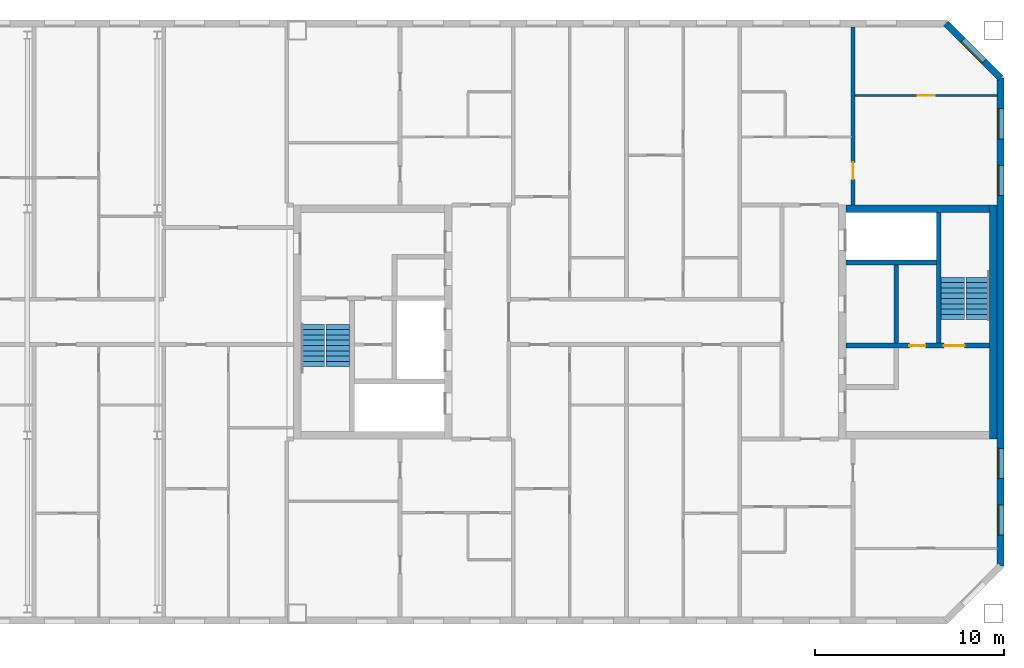
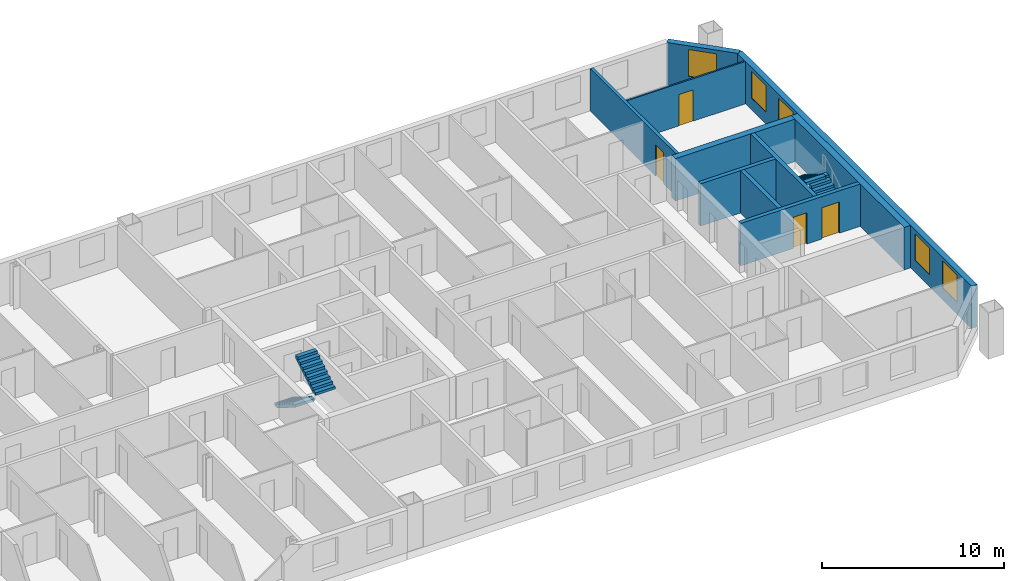
# One storey, part 17 of 19: 10 walls, 5 windows, 4 doors, 4 stair flights, 9 openings, 2 elements without a shape of their own.
"""IFC4 building model written with IfcOpenShell, lengths in metres."""

import ifcopenshell
import ifcopenshell.guid

model = None  # the IFC model being written
_history = None  # IfcOwnerHistory: only IFC2X3 demands one
_inside = {}  # id of a spatial element -> (the spatial element, [elements in it])
_under = {}  # id of a project, library or spatial element -> (it, [spatial elements below it])
_declared = {}  # id of a project -> (the project, [libraries it declares])
_typed = {}  # id of a type object -> (the type object, [elements of that type])
_made_of = {}  # id of a material, layer set ... -> (it, [elements and type objects made of it])


def new_model(schema):
    """Start an empty IFC model of exactly this schema.

    Asked for "IFC4X3", IfcOpenShell would pick the latest addendum, in which some entities
    have other attributes; the version numbers below select the first issue.
    IFC2X3 requires an IfcOwnerHistory on every rooted entity: one is made here for all.
    """
    global model, _history
    if schema == "IFC4X3":
        model = ifcopenshell.file(schema_version=(4, 3, 0, 0))
    else:
        model = ifcopenshell.file(schema=schema)
    _inside.clear()
    _under.clear()
    _declared.clear()
    _typed.clear()
    _made_of.clear()
    _history = None
    if model.schema == "IFC2X3":
        org = make("IfcOrganization", Name="unknown")
        user = make(
            "IfcPersonAndOrganization",
            ThePerson=make("IfcPerson", FamilyName="unknown"),
            TheOrganization=org,
        )
        app = make(
            "IfcApplication",
            ApplicationDeveloper=org,
            Version="unknown",
            ApplicationFullName="unknown",
            ApplicationIdentifier="unknown",
        )
        _history = make(
            "IfcOwnerHistory",
            OwningUser=user,
            OwningApplication=app,
            ChangeAction="ADDED",
            CreationDate=0,
        )
    return model


def make(cls, **values):
    """One entity of the class cls with the attributes given. An attribute that is None is left unset."""
    return model.create_entity(
        cls, **{name: value for name, value in values.items() if value is not None}
    )


def rooted(cls, **values):
    """An entity with a GlobalId (a new one), such as an element, a storey or a relation."""
    return make(cls, GlobalId=ifcopenshell.guid.new(), OwnerHistory=_history, **values)


def si_unit(unit_type, name, prefix=None):
    """IfcSIUnit, for example si_unit("LENGTHUNIT", "METRE", prefix="MILLI")."""
    return make("IfcSIUnit", UnitType=unit_type, Prefix=prefix, Name=name)


def assignment(units):
    """IfcUnitAssignment: the units of a project."""
    return None if units is None else make("IfcUnitAssignment", Units=units)


def point(xyz):
    """IfcCartesianPoint."""
    return None if xyz is None else make("IfcCartesianPoint", Coordinates=xyz)


def direction(xyz):
    """IfcDirection."""
    return None if xyz is None else make("IfcDirection", DirectionRatios=xyz)


def frame(location, z_axis=None, x_axis=None):
    """IfcAxis2Placement3D, a coordinate frame: its origin and axes. An axis left out is left unset."""
    return make(
        "IfcAxis2Placement3D",
        Location=point(location),
        Axis=direction(z_axis),
        RefDirection=direction(x_axis),
    )


def frame_2d(location, x_axis=None):
    """IfcAxis2Placement2D, a coordinate frame in the plane: its origin and x axis."""
    return make(
        "IfcAxis2Placement2D", Location=point(location), RefDirection=direction(x_axis)
    )


def origin():
    """The frame at (0, 0, 0) with its axes left unset."""
    return frame((0.0, 0.0, 0.0))


def place(relative_to, where):
    """IfcLocalPlacement: puts the frame where relative to a parent placement (None: the world)."""
    return make(
        "IfcLocalPlacement", PlacementRelTo=relative_to, RelativePlacement=where
    )


def context(
    kind, dimensions, precision=None, world=None, true_north=None, identifier=None
):
    """IfcGeometricRepresentationContext, for example the 3D "Model" context."""
    return make(
        "IfcGeometricRepresentationContext",
        ContextIdentifier=identifier,
        ContextType=kind,
        CoordinateSpaceDimension=dimensions,
        Precision=precision,
        WorldCoordinateSystem=world,
        TrueNorth=true_north,
    )


def subcontext(parent, identifier, kind, view, scale=None):
    """IfcGeometricRepresentationSubContext, for example "Body" below "Model"."""
    return make(
        "IfcGeometricRepresentationSubContext",
        ContextIdentifier=identifier,
        ContextType=kind,
        ParentContext=parent,
        TargetScale=scale,
        TargetView=view,
    )


def project(units=None, contexts=None):
    """IfcProject with its units and contexts."""
    return rooted(
        "IfcProject",
        Name="project",
        RepresentationContexts=contexts,
        UnitsInContext=assignment(units),
    )


def spatial(cls, under=None, at=None, **own):
    """A site, building, storey or space (cls), placed at a placement, below another one or the project."""
    s = rooted(cls, ObjectPlacement=at, **own)
    if under is not None:
        _under.setdefault(under.id(), (under, []))[1].append(s)
    return s


def polyline(points):
    """IfcPolyline through the points."""
    return make("IfcPolyline", Points=[point(p) for p in points])


def profile(cls, at=None, kind="AREA", **sizes):
    """A parametric profile (cls). Its sizes go by their IFC names, for example OverallWidth=200.0."""
    return make(cls, ProfileType=kind, Position=at, **sizes)


def rectangle(**sizes):
    """IfcRectangleProfileDef."""
    return profile("IfcRectangleProfileDef", **sizes)


def outline(outer, holes=None, kind="AREA"):
    """IfcArbitraryClosedProfileDef: a profile drawn as a closed curve; with holes, ...WithVoids."""
    if holes is None:
        return make("IfcArbitraryClosedProfileDef", ProfileType=kind, OuterCurve=outer)
    return make(
        "IfcArbitraryProfileDefWithVoids",
        ProfileType=kind,
        OuterCurve=outer,
        InnerCurves=holes,
    )


def extrude(swept, where, along, depth):
    """IfcExtrudedAreaSolid: the profile swept, set in the frame where, extruded along a direction by depth."""
    return make(
        "IfcExtrudedAreaSolid",
        SweptArea=swept,
        Position=where,
        ExtrudedDirection=direction(along),
        Depth=depth,
    )


def shape(context_of_items, identifier, shape_type, items):
    """IfcShapeRepresentation: the items that make up one representation, for example the "Body"."""
    return make(
        "IfcShapeRepresentation",
        ContextOfItems=context_of_items,
        RepresentationIdentifier=identifier,
        RepresentationType=shape_type,
        Items=items,
    )


def material(Name=None, Category=None):
    """IfcMaterial."""
    return make("IfcMaterial", Name=Name, Category=Category)


def layer(
    of_material, thickness, ventilated=None, Name=None, Category=None, Priority=None
):
    """IfcMaterialLayer: one layer of a wall or slab, of a material (None: an air gap)."""
    return make(
        "IfcMaterialLayer",
        Material=of_material,
        LayerThickness=thickness,
        IsVentilated=ventilated,
        Name=Name,
        Category=Category,
        Priority=Priority,
    )


def layer_set(layers, Name=None):
    """IfcMaterialLayerSet."""
    return make("IfcMaterialLayerSet", MaterialLayers=layers, LayerSetName=Name)


def made_of(thing, what):
    """Note that an element or type object is made of a material, layer set ...; save() writes the relation."""
    if what is not None:
        _made_of.setdefault(what.id(), (what, []))[1].append(thing)
    return thing


def type_object(cls, material=None, **own):
    """A type object (cls), such as IfcWallType, which elements share."""
    return made_of(rooted(cls, **own), material)


def element(
    cls,
    number,
    at=None,
    inside=None,
    cuts=None,
    type_object=None,
    material=None,
    context=None,
    identifier="Body",
    shape_type=None,
    held_by="IfcProductDefinitionShape",
    body=None,
    shapes=None,
    **own,
):
    """One element of the class cls, such as IfcWall. Its Tag is "e" and its number.

    at: its placement. inside: the storey or other place that contains it. cuts: it is an
    opening in that element (IfcRelVoidsElement). A single representation is given by context,
    identifier, shape_type and body (its items); several are given by shapes. held_by: the class
    of the entity that holds the representations. save() writes the other relations.
    """
    e = rooted(cls, Tag="e%d" % number, ObjectPlacement=at, **own)
    if body is not None:
        shapes = [shape(context, identifier, shape_type, body)]
    if shapes is not None:
        e.Representation = make(held_by, Representations=shapes)
    if inside is not None:
        _inside.setdefault(inside.id(), (inside, []))[1].append(e)
    if cuts is not None:
        rooted(
            "IfcRelVoidsElement", RelatingBuildingElement=cuts, RelatedOpeningElement=e
        )
    if type_object is not None:
        _typed.setdefault(type_object.id(), (type_object, []))[1].append(e)
    return made_of(e, material)


def fill(opening, filler):
    """IfcRelFillsElement: the door or window that sits in an opening."""
    return rooted(
        "IfcRelFillsElement",
        RelatingOpeningElement=opening,
        RelatedBuildingElement=filler,
    )


def aggregate(whole, parts):
    """IfcRelAggregates: a whole, such as a stair, and the parts it consists of."""
    return rooted("IfcRelAggregates", RelatingObject=whole, RelatedObjects=parts)


def save(model, path):
    """Write the relations noted so far, then the file.

    IfcRelAggregates (storeys below a building ...), IfcRelContainedInSpatialStructure (elements
    in a storey), IfcRelDefinesByType, IfcRelAssociatesMaterial and IfcRelDeclares: one each for
    every whole, place, type object, material and project.
    """
    for whole, parts in _under.values():
        aggregate(whole, parts)
    for where, things in _inside.values():
        rooted(
            "IfcRelContainedInSpatialStructure",
            RelatedElements=things,
            RelatingStructure=where,
        )
    for kind, things in _typed.values():
        rooted("IfcRelDefinesByType", RelatedObjects=things, RelatingType=kind)
    for what, things in _made_of.values():
        rooted("IfcRelAssociatesMaterial", RelatedObjects=things, RelatingMaterial=what)
    for by, libraries in _declared.values():
        rooted("IfcRelDeclares", RelatingContext=by, RelatedDefinitions=libraries)
    model.write(path)


model = new_model("IFC4")

# Units and contexts
model_context = context("Model", 3, precision=1e-05, world=origin(), true_north=direction((0.0, 1.0)))
body_context = subcontext(model_context, "Body", "Model", "MODEL_VIEW")
ifc_project = project(units=[si_unit("LENGTHUNIT", "METRE"), si_unit("AREAUNIT", "SQUARE_METRE"), si_unit("VOLUMEUNIT", "CUBIC_METRE"), si_unit("PLANEANGLEUNIT", "RADIAN"), si_unit("MASSUNIT", "GRAM", prefix="KILO")], contexts=[model_context])

# Site, building, storey
site_placement = place(None, origin())
site = spatial("IfcSite", under=ifc_project, at=site_placement, CompositionType="ELEMENT")
building_placement = place(site_placement, origin())
building = spatial("IfcBuilding", under=site, at=building_placement, Name="Tuart Gate Housing", CompositionType="ELEMENT")
storey_placement = place(building_placement, frame((0.0, 0.0, 202.800048828125)))
storey = spatial("IfcBuildingStorey", under=building, at=storey_placement, Name="L57", CompositionType="ELEMENT", Elevation=202.800048828125)

# Wall, openings, windows
ifc_material_1 = material(Name="Brick", Category="masonry")
ifc_layer_1 = layer(ifc_material_1, 0.360107421875)
ifc_layer_set_1 = layer_set([ifc_layer_1], Name="Brick pier and spandrel wall 360")
wall_type_1 = type_object("IfcWallType", Name="Brick pier and spandrel wall 360", PredefinedType="STANDARD", material=ifc_layer_set_1)
wall_1_placement = place(storey_placement, frame((168.820068359375, 57.07470703125, 0.0), z_axis=(0.0, 0.0, 1.0), x_axis=(0.0, 1.0, 0.0)))
wall_1 = element("IfcWall", 1, at=wall_1_placement, inside=storey, type_object=wall_type_1, Name="External wall BLK-E L57", PredefinedType="STANDARD", context=body_context, shape_type="SweptSolid", body=[
    extrude(rectangle(XDim=25.850830078125, YDim=0.360107421875, at=frame_2d((12.92529296875, 0.0))), origin(), (0.0, 0.0, 1.0), 2.849853515625),
])
opening_1_placement = place(wall_1_placement, frame((1.62548828125, 0.0, 0.800048828125)))
opening_1 = element("IfcOpeningElement", 2, at=opening_1_placement, cuts=wall_1, Name="Opening W1", PredefinedType="OPENING", context=body_context, shape_type="SweptSolid", body=[
    extrude(rectangle(XDim=1.60009765625, YDim=1.800048828125, at=frame_2d((0.800048828125, 0.89990234375))), frame((0.0, 0.18994140625, 0.0), z_axis=(0.0, -1.0, 0.0), x_axis=(1.0, 0.0, 0.0)), (0.0, 0.0, 1.0), 0.380126953125),
])
opening_2_placement = place(wall_1_placement, frame((4.62548828125, 0.0, 0.800048828125)))
opening_2 = element("IfcOpeningElement", 3, at=opening_2_placement, cuts=wall_1, Name="Opening W1", PredefinedType="OPENING", context=body_context, shape_type="SweptSolid", body=[
    extrude(rectangle(XDim=1.60009765625, YDim=1.800048828125, at=frame_2d((0.800048828125, 0.89990234375))), frame((0.0, 0.18994140625, 0.0), z_axis=(0.0, -1.0, 0.0), x_axis=(1.0, 0.0, 0.0)), (0.0, 0.0, 1.0), 0.380126953125),
])
opening_3_placement = place(wall_1_placement, frame((19.62548828125, 0.0, 0.800048828125)))
opening_3 = element("IfcOpeningElement", 4, at=opening_3_placement, cuts=wall_1, Name="Opening W1", PredefinedType="OPENING", context=body_context, shape_type="SweptSolid", body=[
    extrude(rectangle(XDim=1.60009765625, YDim=1.800048828125, at=frame_2d((0.800048828125, 0.89990234375))), frame((0.0, 0.18994140625, 0.0), z_axis=(0.0, -1.0, 0.0), x_axis=(1.0, 0.0, 0.0)), (0.0, 0.0, 1.0), 0.380126953125),
])
opening_4_placement = place(wall_1_placement, frame((22.62548828125, 0.0, 0.800048828125)))
opening_4 = element("IfcOpeningElement", 5, at=opening_4_placement, cuts=wall_1, Name="Opening W1", PredefinedType="OPENING", context=body_context, shape_type="SweptSolid", body=[
    extrude(rectangle(XDim=1.60009765625, YDim=1.800048828125, at=frame_2d((0.800048828125, 0.89990234375))), frame((0.0, 0.18994140625, 0.0), z_axis=(0.0, -1.0, 0.0), x_axis=(1.0, 0.0, 0.0)), (0.0, 0.0, 1.0), 0.380126953125),
])
ifc_material_2 = material(Name="Aluminium frame with clear glass", Category="aluminium")
window_type = type_object("IfcWindowType", Name="Punched window 1600 x 1800", PartitioningType="SINGLE_PANEL", PredefinedType="WINDOW", material=ifc_material_2)
window_1_placement = place(opening_1_placement, origin())
window_1 = element("IfcWindow", 6, at=window_1_placement, inside=storey, type_object=window_type, Name="Window W1", OverallHeight=1.800048828125, OverallWidth=1.60009765625, PartitioningType="SINGLE_PANEL", PredefinedType="WINDOW", context=body_context, shape_type="SweptSolid", body=[
    extrude(rectangle(XDim=1.60009765625, YDim=1.800048828125, at=frame_2d((0.800048828125, 0.89990234375))), frame((0.0, 0.150146484375, 0.0), z_axis=(0.0, -1.0, 0.0), x_axis=(1.0, 0.0, 0.0)), (0.0, 0.0, 1.0), 0.06005859375),
])
fill(opening_1, window_1)
window_2_placement = place(opening_2_placement, origin())
window_2 = element("IfcWindow", 7, at=window_2_placement, inside=storey, type_object=window_type, Name="Window W1", OverallHeight=1.800048828125, OverallWidth=1.60009765625, PartitioningType="SINGLE_PANEL", PredefinedType="WINDOW", context=body_context, shape_type="SweptSolid", body=[
    extrude(rectangle(XDim=1.60009765625, YDim=1.800048828125, at=frame_2d((0.800048828125, 0.89990234375))), frame((0.0, 0.150146484375, 0.0), z_axis=(0.0, -1.0, 0.0), x_axis=(1.0, 0.0, 0.0)), (0.0, 0.0, 1.0), 0.06005859375),
])
fill(opening_2, window_2)
window_3_placement = place(opening_3_placement, origin())
window_3 = element("IfcWindow", 8, at=window_3_placement, inside=storey, type_object=window_type, Name="Window W1", OverallHeight=1.800048828125, OverallWidth=1.60009765625, PartitioningType="SINGLE_PANEL", PredefinedType="WINDOW", context=body_context, shape_type="SweptSolid", body=[
    extrude(rectangle(XDim=1.60009765625, YDim=1.800048828125, at=frame_2d((0.800048828125, 0.89990234375))), frame((0.0, 0.150146484375, 0.0), z_axis=(0.0, -1.0, 0.0), x_axis=(1.0, 0.0, 0.0)), (0.0, 0.0, 1.0), 0.06005859375),
])
fill(opening_3, window_3)
window_4_placement = place(opening_4_placement, origin())
window_4 = element("IfcWindow", 9, at=window_4_placement, inside=storey, type_object=window_type, Name="Window W1", OverallHeight=1.800048828125, OverallWidth=1.60009765625, PartitioningType="SINGLE_PANEL", PredefinedType="WINDOW", context=body_context, shape_type="SweptSolid", body=[
    extrude(rectangle(XDim=1.60009765625, YDim=1.800048828125, at=frame_2d((0.800048828125, 0.89990234375))), frame((0.0, 0.150146484375, 0.0), z_axis=(0.0, -1.0, 0.0), x_axis=(1.0, 0.0, 0.0)), (0.0, 0.0, 1.0), 0.06005859375),
])
fill(opening_4, window_4)

# Wall, opening, window
wall_2_placement = place(storey_placement, frame((168.820068359375, 82.92529296875, 0.0), z_axis=(0.0, 0.0, 1.0), x_axis=(-0.707106781187, 0.707106781187, 0.0)))
wall_2 = element("IfcWall", 10, at=wall_2_placement, inside=storey, type_object=wall_type_1, Name="External wall BLK-NE L57", PredefinedType="STANDARD", context=body_context, shape_type="SweptSolid", body=[
    extrude(rectangle(XDim=4.09375, YDim=0.360107421875, at=frame_2d((2.046875, 0.0))), origin(), (0.0, 0.0, 1.0), 2.849853515625),
])
opening_5_placement = place(wall_2_placement, frame((1.2470703125, 0.0, 0.800048828125)))
opening_5 = element("IfcOpeningElement", 11, at=opening_5_placement, cuts=wall_2, Name="Opening W1", PredefinedType="OPENING", context=body_context, shape_type="SweptSolid", body=[
    extrude(rectangle(XDim=1.60009765625, YDim=1.800048828125, at=frame_2d((0.800048828125, 0.89990234375))), frame((0.0, 0.18994140625, 0.0), z_axis=(0.0, -1.0, 0.0), x_axis=(1.0, 0.0, 0.0)), (0.0, 0.0, 1.0), 0.380126953125),
])
window_5_placement = place(opening_5_placement, origin())
window_5 = element("IfcWindow", 12, at=window_5_placement, inside=storey, type_object=window_type, Name="Window W1", OverallHeight=1.800048828125, OverallWidth=1.60009765625, PartitioningType="SINGLE_PANEL", PredefinedType="WINDOW", context=body_context, shape_type="SweptSolid", body=[
    extrude(rectangle(XDim=1.60009765625, YDim=1.800048828125, at=frame_2d((0.800048828125, 0.89990234375))), frame((0.0, 0.150146484375, 0.0), z_axis=(0.0, -1.0, 0.0), x_axis=(1.0, 0.0, 0.0)), (0.0, 0.0, 1.0), 0.06005859375),
])
fill(opening_5, window_5)

# Wall
ifc_material_3 = material(Name="Concrete C40", Category="concrete")
ifc_layer_2 = layer(ifc_material_3, 0.25)
ifc_layer_set_2 = layer_set([ifc_layer_2], Name="Core wall 250 C40")
wall_type_2 = type_object("IfcWallType", Name="Core wall 250 C40", PredefinedType="SHEAR", material=ifc_layer_set_2)
wall_3_placement = place(storey_placement, frame((160.639892578125, 73.14990234375, 0.0), z_axis=(0.0, 0.0, 1.0), x_axis=(1.0, 0.0, 0.0)))
element("IfcWall", 13, at=wall_3_placement, inside=storey, type_object=wall_type_2, Name="Core wall BK.1", PredefinedType="SHEAR", context=body_context, shape_type="SweptSolid", body=[
    extrude(rectangle(XDim=4.775146484375, YDim=0.25, at=frame_2d((2.3876953125, 0.0))), origin(), (0.0, 0.0, 1.0), 2.849853515625),
])

# Wall, openings, doors
wall_4_placement = place(storey_placement, frame((160.639892578125, 68.75, 0.0), z_axis=(0.0, 0.0, 1.0), x_axis=(1.0, 0.0, 0.0)))
wall_4 = element("IfcWall", 14, at=wall_4_placement, inside=storey, type_object=wall_type_2, Name="Core wall BK.2", PredefinedType="SHEAR", context=body_context, shape_type="SweptSolid", body=[
    extrude(rectangle(XDim=7.60009765625, YDim=0.25, at=frame_2d((3.800048828125, 0.0))), origin(), (0.0, 0.0, 1.0), 2.849853515625),
])
opening_6_placement = place(wall_4_placement, frame((5.175048828125, 0.0, 0.0)))
opening_6 = element("IfcOpeningElement", 15, at=opening_6_placement, cuts=wall_4, Name="Opening D2092", PredefinedType="OPENING", context=body_context, shape_type="SweptSolid", body=[
    extrude(rectangle(XDim=1.10009765625, YDim=2.10009765625, at=frame_2d((0.550048828125, 1.050048828125))), frame((0.0, 0.135009765625, 0.0), z_axis=(0.0, -1.0, 0.0), x_axis=(1.0, 0.0, 0.0)), (0.0, 0.0, 1.0), 0.27001953125),
])
opening_7_placement = place(wall_4_placement, frame((3.35009765625, 0.0, 0.0)))
opening_7 = element("IfcOpeningElement", 16, at=opening_7_placement, cuts=wall_4, Name="Opening D2091", PredefinedType="OPENING", context=body_context, shape_type="SweptSolid", body=[
    extrude(rectangle(XDim=0.85009765625, YDim=2.10009765625, at=frame_2d((0.425048828125, 1.050048828125))), frame((0.0, 0.135009765625, 0.0), z_axis=(0.0, -1.0, 0.0), x_axis=(1.0, 0.0, 0.0)), (0.0, 0.0, 1.0), 0.27001953125),
])
ifc_material_4 = material(Name="Steel fire door", Category="steel")
door_type_1 = type_object("IfcDoorType", Name="Riser door 850 x 2100", OperationType="SINGLE_SWING_LEFT", PredefinedType="DOOR", material=ifc_material_4)
door_1_placement = place(opening_7_placement, origin())
door_1 = element("IfcDoor", 17, at=door_1_placement, inside=storey, type_object=door_type_1, Name="Service room door BK.W1", OperationType="SINGLE_SWING_LEFT", OverallHeight=2.10009765625, OverallWidth=0.85009765625, PredefinedType="DOOR", context=body_context, shape_type="SweptSolid", body=[
    extrude(rectangle(XDim=0.85009765625, YDim=2.10009765625, at=frame_2d((0.425048828125, 1.050048828125))), frame((0.0, 0.02490234375, 0.0), z_axis=(0.0, -1.0, 0.0), x_axis=(1.0, 0.0, 0.0)), (0.0, 0.0, 1.0), 0.050048828125),
])
fill(opening_7, door_1)
ifc_material_5 = material(Name="Steel fire door", Category="steel")
door_type_2 = type_object("IfcDoorType", Name="Stair door 1100 x 2100", OperationType="SINGLE_SWING_LEFT", PredefinedType="DOOR", material=ifc_material_5)
door_2_placement = place(opening_6_placement, origin())
door_2 = element("IfcDoor", 18, at=door_2_placement, inside=storey, type_object=door_type_2, Name="Stair door BK.SD", OperationType="SINGLE_SWING_LEFT", OverallHeight=2.10009765625, OverallWidth=1.10009765625, PredefinedType="DOOR", context=body_context, shape_type="SweptSolid", body=[
    extrude(rectangle(XDim=1.10009765625, YDim=2.10009765625, at=frame_2d((0.550048828125, 1.050048828125))), frame((0.0, 0.02490234375, 0.0), z_axis=(0.0, -1.0, 0.0), x_axis=(1.0, 0.0, 0.0)), (0.0, 0.0, 1.0), 0.050048828125),
])
fill(opening_6, door_2)

# Walls
wall_5_placement = place(storey_placement, frame((163.2900390625, 73.02490234375, 0.0), z_axis=(0.0, 0.0, 1.0), x_axis=(0.0, -1.0, 0.0)))
element("IfcWall", 19, at=wall_5_placement, inside=storey, type_object=wall_type_2, Name="Core wall BK.4", PredefinedType="SHEAR", context=body_context, shape_type="SweptSolid", body=[
    extrude(rectangle(XDim=4.14990234375, YDim=0.25, at=frame_2d((2.074951171875, 0.0))), origin(), (0.0, 0.0, 1.0), 2.849853515625),
])
wall_6_placement = place(storey_placement, frame((165.5400390625, 75.800048828125, 0.0), z_axis=(0.0, 0.0, 1.0), x_axis=(0.0, -1.0, 0.0)))
element("IfcWall", 20, at=wall_6_placement, inside=storey, type_object=wall_type_2, Name="Core wall BK.6", PredefinedType="SHEAR", context=body_context, shape_type="SweptSolid", body=[
    extrude(rectangle(XDim=6.925048828125, YDim=0.25, at=frame_2d((3.46240234375, 0.0))), origin(), (0.0, 0.0, 1.0), 2.849853515625),
])
ifc_material_6 = material(Name="Concrete C40", Category="concrete")
ifc_layer_3 = layer(ifc_material_6, 0.39990234375)
ifc_layer_set_3 = layer_set([ifc_layer_3], Name="Core wall 400 C40")
wall_type_3 = type_object("IfcWallType", Name="Core wall 400 C40", PredefinedType="SHEAR", material=ifc_layer_set_3)
wall_7_placement = place(storey_placement, frame((168.43994140625, 76.199951171875, 0.0), z_axis=(0.0, 0.0, 1.0), x_axis=(0.0, -1.0, 0.0)))
element("IfcWall", 21, at=wall_7_placement, inside=storey, type_object=wall_type_3, Name="Core wall BK back", PredefinedType="SHEAR", context=body_context, shape_type="SweptSolid", body=[
    extrude(rectangle(XDim=12.39990234375, YDim=0.39990234375, at=frame_2d((6.199951171875, 0.0))), origin(), (0.0, 0.0, 1.0), 2.849853515625),
])
wall_8_placement = place(storey_placement, frame((160.639892578125, 76.0, 0.0), z_axis=(0.0, 0.0, 1.0), x_axis=(1.0, 0.0, 0.0)))
element("IfcWall", 22, at=wall_8_placement, inside=storey, type_object=wall_type_3, Name="Core wall BK south", PredefinedType="SHEAR", context=body_context, shape_type="SweptSolid", body=[
    extrude(rectangle(XDim=7.60009765625, YDim=0.39990234375, at=frame_2d((3.800048828125, 0.0))), origin(), (0.0, 0.0, 1.0), 2.849853515625),
])

# Wall, opening, door
ifc_material_7 = material(Name="Gypsum board on steel studs", Category="steel")
ifc_layer_4 = layer(ifc_material_7, 0.10009765625)
ifc_layer_set_4 = layer_set([ifc_layer_4], Name="Partition 100")
wall_type_4 = type_object("IfcWallType", Name="Partition 100", PredefinedType="PARTITIONING", material=ifc_layer_set_4)
wall_9_placement = place(storey_placement, frame((161.10009765625, 82.0, 0.0), z_axis=(0.0, 0.0, 1.0), x_axis=(1.0, 0.0, 0.0)))
wall_9 = element("IfcWall", 23, at=wall_9_placement, inside=storey, type_object=wall_type_4, Name="Partition 100", PredefinedType="PARTITIONING", context=body_context, shape_type="SweptSolid", body=[
    extrude(rectangle(XDim=7.539794921875, YDim=0.10009765625, at=frame_2d((3.77001953125, 0.0))), origin(), (0.0, 0.0, 1.0), 2.849853515625),
])
opening_8_placement = place(wall_9_placement, frame((3.320068359375, 0.0, 0.0)))
opening_8 = element("IfcOpeningElement", 24, at=opening_8_placement, cuts=wall_9, Name="Opening D2060", PredefinedType="OPENING", context=body_context, shape_type="SweptSolid", body=[
    extrude(rectangle(XDim=0.89990234375, YDim=2.10009765625, at=frame_2d((0.449951171875, 1.050048828125))), frame((0.0, 0.06005859375, 0.0), z_axis=(0.0, -1.0, 0.0), x_axis=(1.0, 0.0, 0.0)), (0.0, 0.0, 1.0), 0.1201171875),
])
ifc_material_8 = material(Name="Timber door leaf in steel frame", Category="steel")
door_type_3 = type_object("IfcDoorType", Name="Internal door 900 RH", OperationType="SINGLE_SWING_RIGHT", PredefinedType="DOOR", material=ifc_material_8)
door_3_placement = place(opening_8_placement, origin())
door_3 = element("IfcDoor", 25, at=door_3_placement, inside=storey, type_object=door_type_3, Name="Internal door", OperationType="SINGLE_SWING_RIGHT", OverallHeight=2.10009765625, OverallWidth=0.89990234375, PredefinedType="DOOR", context=body_context, shape_type="SweptSolid", body=[
    extrude(rectangle(XDim=0.89990234375, YDim=2.10009765625, at=frame_2d((0.449951171875, 1.050048828125))), frame((0.0, 0.02490234375, 0.0), z_axis=(0.0, -1.0, 0.0), x_axis=(1.0, 0.0, 0.0)), (0.0, 0.0, 1.0), 0.050048828125),
])
fill(opening_8, door_3)

ifc_material_9 = material(Name="Concrete C40", Category="concrete")
ifc_layer_5 = layer(ifc_material_9, 0.199951171875)
ifc_layer_set_5 = layer_set([ifc_layer_5], Name="Party wall concrete C40 200")
wall_type_5 = type_object("IfcWallType", Name="Party wall concrete C40 200", PredefinedType="SOLIDWALL", material=ifc_layer_set_5)
wall_10_placement = place(storey_placement, frame((161.0, 76.199951171875, 0.0), z_axis=(0.0, 0.0, 1.0), x_axis=(0.0, 1.0, 0.0)))
wall_10 = element("IfcWall", 26, at=wall_10_placement, inside=storey, type_object=wall_type_5, Name="Party wall concrete C40 200", PredefinedType="SOLIDWALL", context=body_context, shape_type="SweptSolid", body=[
    extrude(rectangle(XDim=9.43994140625, YDim=0.199951171875, at=frame_2d((4.719970703125, 0.0))), origin(), (0.0, 0.0, 1.0), 2.849853515625),
])
opening_9_placement = place(wall_10_placement, frame((1.35009765625, 0.0, 0.0)))
opening_9 = element("IfcOpeningElement", 27, at=opening_9_placement, cuts=wall_10, Name="Opening D2063", PredefinedType="OPENING", context=body_context, shape_type="SweptSolid", body=[
    extrude(rectangle(XDim=0.89990234375, YDim=2.10009765625, at=frame_2d((0.449951171875, 1.050048828125))), frame((0.0, 0.10986328125, 0.0), z_axis=(0.0, -1.0, 0.0), x_axis=(1.0, 0.0, 0.0)), (0.0, 0.0, 1.0), 0.219970703125),
])
ifc_material_10 = material(Name="Timber door leaf in steel frame", Category="steel")
door_type_4 = type_object("IfcDoorType", Name="Internal door 900", OperationType="SINGLE_SWING_LEFT", PredefinedType="DOOR", material=ifc_material_10)
door_4_placement = place(opening_9_placement, origin())
door_4 = element("IfcDoor", 28, at=door_4_placement, inside=storey, type_object=door_type_4, Name="Internal door", OperationType="SINGLE_SWING_LEFT", OverallHeight=2.10009765625, OverallWidth=0.89990234375, PredefinedType="DOOR", context=body_context, shape_type="SweptSolid", body=[
    extrude(rectangle(XDim=0.89990234375, YDim=2.10009765625, at=frame_2d((0.449951171875, 1.050048828125))), frame((0.0, 0.02490234375, 0.0), z_axis=(0.0, -1.0, 0.0), x_axis=(1.0, 0.0, 0.0)), (0.0, 0.0, 1.0), 0.050048828125),
])
fill(opening_9, door_4)

# Stair, stair flights
ifc_material_11 = material(Name="Concrete C40", Category="concrete")
stair_type = type_object("IfcStairType", Name="Core stair 1250", PredefinedType="HALF_TURN_STAIR", material=ifc_material_11)
stair_1_placement = place(storey_placement, origin())
stair_1 = element("IfcStair", 29, at=stair_1_placement, inside=storey, type_object=stair_type, Name="Stair SB1", PredefinedType="HALF_TURN_STAIR")
ifc_material_12 = material(Name="Concrete C40", Category="concrete")
stair_flight_type = type_object("IfcStairFlightType", Name="Stair flight 1250, 9 risers 172 x 280", PredefinedType="STRAIGHT", material=ifc_material_12)
stair_flight_1_placement = place(storey_placement, frame((132.385009765625, 69.875, 0.0), z_axis=(0.0, 0.0, 1.0), x_axis=(0.0, -1.0, 0.0)))
stair_flight_1 = element("IfcStairFlight", 30, at=stair_flight_1_placement, type_object=stair_flight_type, Name="SB1 flight 1", NumberOfRisers=9, NumberOfTreads=8, PredefinedType="STRAIGHT", RiserHeight=0.172222222, TreadLength=0.28, context=body_context, shape_type="SweptSolid", body=[
    extrude(outline(polyline([(0.0, 0.0), (0.0, 0.172119140625), (0.280029296875, 0.172119140625), (0.280029296875, 0.344482421875), (0.56005859375, 0.344482421875), (0.56005859375, 0.5166015625), (0.840087890625, 0.5166015625), (0.840087890625, 0.68896484375), (1.1201171875, 0.68896484375), (1.1201171875, 0.861083984375), (1.39990234375, 0.861083984375), (1.39990234375, 1.033447265625), (1.679931640625, 1.033447265625), (1.679931640625, 1.20556640625), (1.9599609375, 1.20556640625), (1.9599609375, 1.377685546875), (2.239990234375, 1.377685546875), (2.239990234375, 1.550048828125), (2.239990234375, 1.201904296875), (0.2861328125, 0.0), (0.0, 0.0)])), frame((0.0, 0.625, 0.0), z_axis=(0.0, -1.0, 0.0), x_axis=(1.0, 0.0, 0.0)), (0.0, 0.0, 1.0), 1.25),
])
stair_flight_2_placement = place(storey_placement, frame((133.7099609375, 67.635009765625, 1.550048828125), z_axis=(0.0, 0.0, 1.0), x_axis=(0.0, 1.0, 0.0)))
stair_flight_2 = element("IfcStairFlight", 31, at=stair_flight_2_placement, type_object=stair_flight_type, Name="SB1 flight 2", NumberOfRisers=9, NumberOfTreads=8, PredefinedType="STRAIGHT", RiserHeight=0.172222222, TreadLength=0.28, context=body_context, shape_type="SweptSolid", body=[
    extrude(outline(polyline([(0.0, 0.0), (0.0, 0.172119140625), (0.280029296875, 0.172119140625), (0.280029296875, 0.344482421875), (0.56005859375, 0.344482421875), (0.56005859375, 0.5166015625), (0.840087890625, 0.5166015625), (0.840087890625, 0.68896484375), (1.1201171875, 0.68896484375), (1.1201171875, 0.861083984375), (1.39990234375, 0.861083984375), (1.39990234375, 1.033447265625), (1.679931640625, 1.033447265625), (1.679931640625, 1.20556640625), (1.9599609375, 1.20556640625), (1.9599609375, 1.377685546875), (2.239990234375, 1.377685546875), (2.239990234375, 1.550048828125), (2.239990234375, 1.201904296875), (0.2861328125, 0.0), (0.0, 0.0)])), frame((0.0, 0.625, 0.0), z_axis=(0.0, -1.0, 0.0), x_axis=(1.0, 0.0, 0.0)), (0.0, 0.0, 1.0), 1.25),
])
aggregate(stair_1, [stair_flight_1, stair_flight_2])

stair_2_placement = place(storey_placement, origin())
stair_2 = element("IfcStair", 32, at=stair_2_placement, inside=storey, type_object=stair_type, Name="Stair SB2", PredefinedType="HALF_TURN_STAIR")
stair_flight_3_placement = place(storey_placement, frame((167.614990234375, 70.125, 0.0), z_axis=(0.0, 0.0, 1.0), x_axis=(0.0, 1.0, 0.0)))
stair_flight_3 = element("IfcStairFlight", 33, at=stair_flight_3_placement, type_object=stair_flight_type, Name="SB2 flight 1", NumberOfRisers=9, NumberOfTreads=8, PredefinedType="STRAIGHT", RiserHeight=0.172222222, TreadLength=0.28, context=body_context, shape_type="SweptSolid", body=[
    extrude(outline(polyline([(0.0, 0.0), (0.0, 0.172119140625), (0.280029296875, 0.172119140625), (0.280029296875, 0.344482421875), (0.56005859375, 0.344482421875), (0.56005859375, 0.5166015625), (0.840087890625, 0.5166015625), (0.840087890625, 0.68896484375), (1.1201171875, 0.68896484375), (1.1201171875, 0.861083984375), (1.39990234375, 0.861083984375), (1.39990234375, 1.033447265625), (1.679931640625, 1.033447265625), (1.679931640625, 1.20556640625), (1.9599609375, 1.20556640625), (1.9599609375, 1.377685546875), (2.239990234375, 1.377685546875), (2.239990234375, 1.550048828125), (2.239990234375, 1.201904296875), (0.2861328125, 0.0), (0.0, 0.0)])), frame((0.0, 0.625, 0.0), z_axis=(0.0, -1.0, 0.0), x_axis=(1.0, 0.0, 0.0)), (0.0, 0.0, 1.0), 1.25),
])
stair_flight_4_placement = place(storey_placement, frame((166.2900390625, 72.364990234375, 1.550048828125), z_axis=(0.0, 0.0, 1.0), x_axis=(0.0, -1.0, 0.0)))
stair_flight_4 = element("IfcStairFlight", 34, at=stair_flight_4_placement, type_object=stair_flight_type, Name="SB2 flight 2", NumberOfRisers=9, NumberOfTreads=8, PredefinedType="STRAIGHT", RiserHeight=0.172222222, TreadLength=0.28, context=body_context, shape_type="SweptSolid", body=[
    extrude(outline(polyline([(0.0, 0.0), (0.0, 0.172119140625), (0.280029296875, 0.172119140625), (0.280029296875, 0.344482421875), (0.56005859375, 0.344482421875), (0.56005859375, 0.5166015625), (0.840087890625, 0.5166015625), (0.840087890625, 0.68896484375), (1.1201171875, 0.68896484375), (1.1201171875, 0.861083984375), (1.39990234375, 0.861083984375), (1.39990234375, 1.033447265625), (1.679931640625, 1.033447265625), (1.679931640625, 1.20556640625), (1.9599609375, 1.20556640625), (1.9599609375, 1.377685546875), (2.239990234375, 1.377685546875), (2.239990234375, 1.550048828125), (2.239990234375, 1.201904296875), (0.2861328125, 0.0), (0.0, 0.0)])), frame((0.0, 0.625, 0.0), z_axis=(0.0, -1.0, 0.0), x_axis=(1.0, 0.0, 0.0)), (0.0, 0.0, 1.0), 1.25),
])
aggregate(stair_2, [stair_flight_3, stair_flight_4])

save(model, "model.ifc")
